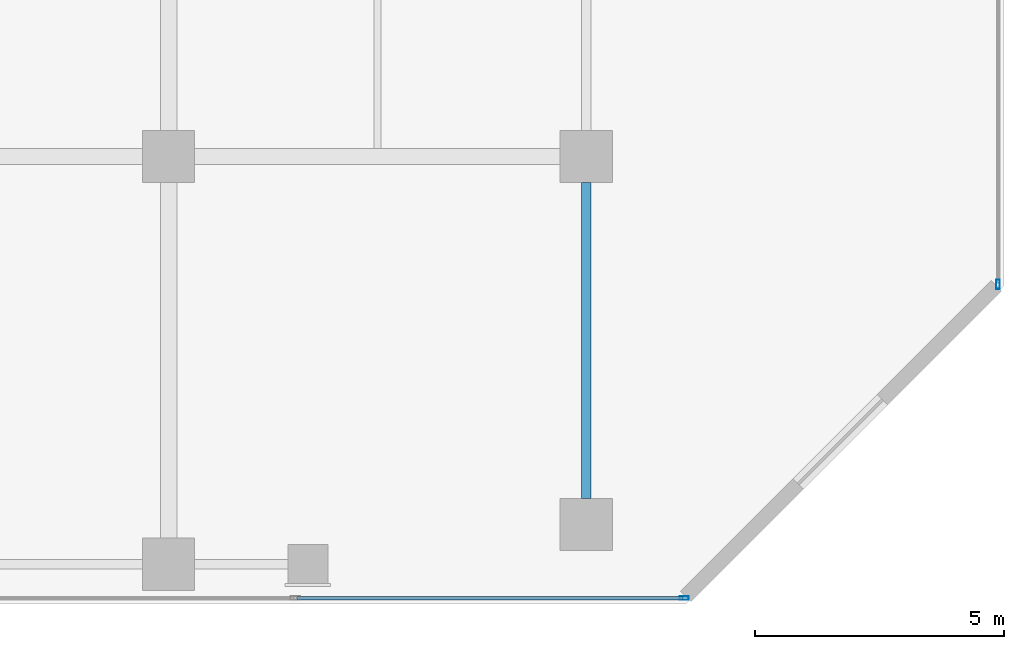
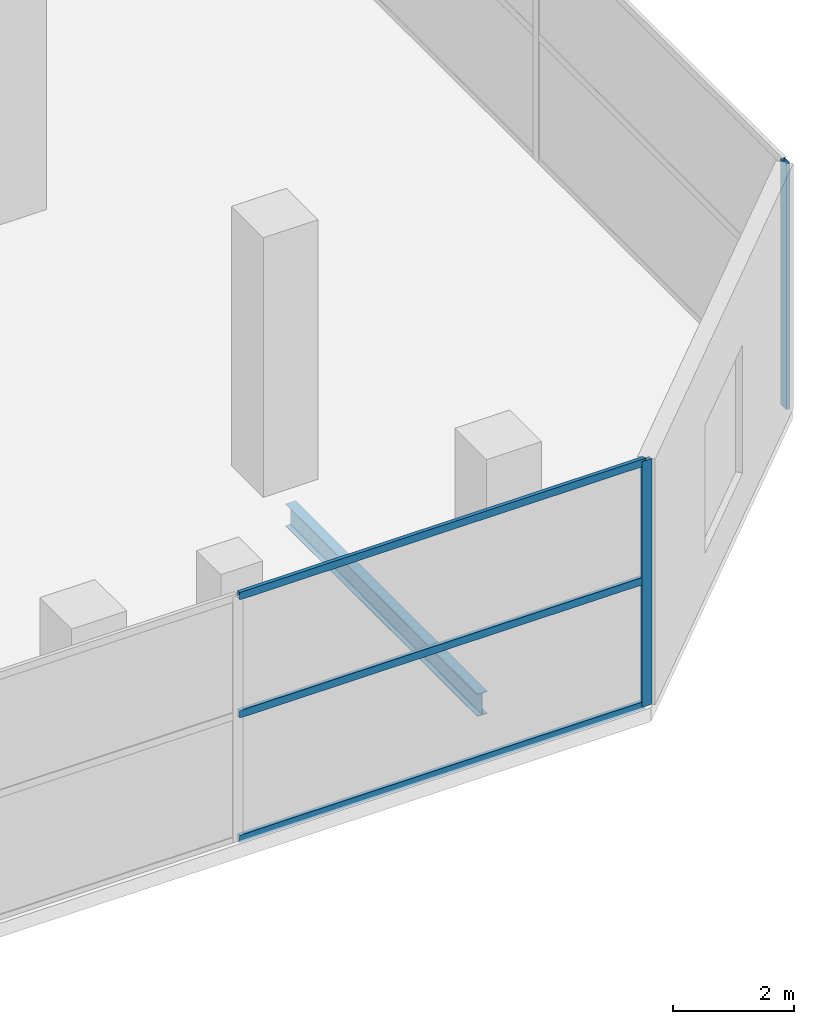
# One storey, part 24 of 40: 5 members, 1 beam, 2 elements without a shape of their own.
"""IFC4 building model written with IfcOpenShell, lengths in metres."""

from ifc_helpers import new_model, si_unit, direction, frame, origin, origin_2d, place, context, subcontext, project, spatial, hollow_rectangle, i_section, extrude, material, layer, layer_set, material_profile, profile_set, type_object, element, aggregate, save


model = new_model("IFC4")

# Units and contexts
model_context = context("Model", 3, precision=1e-05, world=origin(), true_north=direction((0.0, 1.0)))
body_context = subcontext(model_context, "Body", "Model", "MODEL_VIEW")
ifc_project = project(units=[si_unit("LENGTHUNIT", "METRE"), si_unit("AREAUNIT", "SQUARE_METRE"), si_unit("VOLUMEUNIT", "CUBIC_METRE"), si_unit("PLANEANGLEUNIT", "RADIAN"), si_unit("MASSUNIT", "GRAM", prefix="KILO")], contexts=[model_context])

# Site, building, storey
site_placement = place(None, origin())
site = spatial("IfcSite", under=ifc_project, at=site_placement, CompositionType="ELEMENT")
building_placement = place(site_placement, origin())
building = spatial("IfcBuilding", under=site, at=building_placement, Name="Maruvema Waterfront Hotel and Observation Tower", CompositionType="ELEMENT")
storey_placement = place(building_placement, frame((0.0, 0.0, 5.60009765625)))
storey = spatial("IfcBuildingStorey", under=building, at=storey_placement, Name="L01", CompositionType="ELEMENT", Elevation=5.60009765625)

# Curtain wall, members
ifc_material_1 = material(Name="Anodised bronze aluminium and solar-control low-E IGU", Category="aluminium")
ifc_layer = layer(ifc_material_1, 0.159912109375, Name="Podium Waterfront Storefront Curtain Wall System CW-01")
ifc_layer_set = layer_set([ifc_layer], Name="Anodised bronze aluminium and solar-control low-E IGU")
curtain_wall_type = type_object("IfcCurtainWallType", Name="Podium Waterfront Storefront Curtain Wall System CW-01", PredefinedType="USERDEFINED", material=ifc_layer_set)
curtain_wall_1_placement = place(storey_placement, origin())
curtain_wall_1 = element("IfcCurtainWall", 1, at=curtain_wall_1_placement, inside=storey, type_object=curtain_wall_type, Name="L01 Curtain Wall CW-L01-S", ObjectType="UNITISED CURTAIN WALL", PredefinedType="USERDEFINED")
ifc_material_2 = material(Name="Anodised architectural bronze aluminium", Category="aluminium")
ifc_material_profile_1 = material_profile(ifc_material_2, hollow_rectangle(XDim=0.070068359375, YDim=0.14990234375, WallThickness=0.00390625, at=origin_2d()), Name="ALU-T70x150")
ifc_profile_set_1 = profile_set([ifc_material_profile_1], Name="Anodised architectural bronze aluminium")
member_type_1 = type_object("IfcMemberType", Name="Curtain Wall Horizontal Transom ALU-T70x150", PredefinedType="USERDEFINED", material=ifc_profile_set_1)
member_1_placement = place(storey_placement, frame((61.3798828125, 0.1201171875, 0.02978515625), z_axis=(1.0, 0.0, 0.0), x_axis=(0.0, 1.0, 0.0)))
member_1 = element("IfcMember", 2, at=member_1_placement, type_object=member_type_1, Name="CW-01 transom 8.1", ObjectType="TRANSOM", PredefinedType="USERDEFINED", context=body_context, shape_type="SweptSolid", body=[
    extrude(hollow_rectangle(XDim=0.070068359375, YDim=0.14990234375, WallThickness=0.00390625, at=origin_2d()), origin(), (0.0, 0.0, 1.0), 7.760009765625),
])
member_2_placement = place(storey_placement, frame((61.3798828125, 0.1201171875, 2.5498046875), z_axis=(1.0, 0.0, 0.0), x_axis=(0.0, 1.0, 0.0)))
member_2 = element("IfcMember", 3, at=member_2_placement, type_object=member_type_1, Name="CW-01 transom 8.2", ObjectType="TRANSOM", PredefinedType="USERDEFINED", context=body_context, shape_type="SweptSolid", body=[
    extrude(hollow_rectangle(XDim=0.070068359375, YDim=0.14990234375, WallThickness=0.00390625, at=origin_2d()), origin(), (0.0, 0.0, 1.0), 7.760009765625),
])
member_3_placement = place(storey_placement, frame((61.3798828125, 0.1201171875, 4.93994140625), z_axis=(1.0, 0.0, 0.0), x_axis=(0.0, 1.0, 0.0)))
member_3 = element("IfcMember", 4, at=member_3_placement, type_object=member_type_1, Name="CW-01 transom 8.3", ObjectType="TRANSOM", PredefinedType="USERDEFINED", context=body_context, shape_type="SweptSolid", body=[
    extrude(hollow_rectangle(XDim=0.070068359375, YDim=0.14990234375, WallThickness=0.00390625, at=origin_2d()), origin(), (0.0, 0.0, 1.0), 7.760009765625),
])

# Beam
ifc_material_3 = material(Name="Steel ASTM A572 Grade 50", Category="steel")
ifc_material_profile_2 = material_profile(ifc_material_3, i_section(OverallWidth=0.18994140625, OverallDepth=0.45703125, WebThickness=0.009033203125, FlangeThickness=0.014404296875, FilletRadius=0.014892578125, at=origin_2d()), Name="W460x74.0")
ifc_profile_set_2 = profile_set([ifc_material_profile_2], Name="Steel ASTM A572 Grade 50")
beam_type = type_object("IfcBeamType", Name="Perimeter Spandrel Beam W460x74.0", PredefinedType="SPANDREL", material=ifc_profile_set_2)
beam_placement = place(storey_placement, frame((67.199951171875, 2.125, -0.508544921875), z_axis=(0.0, 1.0, 0.0), x_axis=(-1.0, 0.0, 0.0)))
element("IfcBeam", 5, at=beam_placement, inside=storey, type_object=beam_type, Name="L01 Floor Girder NS-29", PredefinedType="SPANDREL", context=body_context, shape_type="SweptSolid", body=[
    extrude(i_section(OverallWidth=0.18994140625, OverallDepth=0.45703125, WebThickness=0.009033203125, FlangeThickness=0.014404296875, FilletRadius=0.014892578125, at=origin_2d()), origin(), (0.0, 0.0, 1.0), 6.35009765625),
])

# Member
ifc_material_4 = material(Name="Anodised architectural bronze aluminium", Category="aluminium")
ifc_material_profile_3 = material_profile(ifc_material_4, hollow_rectangle(XDim=0.070068359375, YDim=0.18994140625, WallThickness=0.00390625, at=origin_2d()), Name="ALU-M70x190")
ifc_profile_set_3 = profile_set([ifc_material_profile_3], Name="Anodised architectural bronze aluminium")
member_type_2 = type_object("IfcMemberType", Name="Podium Storefront Heavy Mullion ALU-M70x190", PredefinedType="MULLION", material=ifc_profile_set_3)
member_4_placement = place(storey_placement, frame((69.169921875, 0.1201171875, 0.0), z_axis=(0.0, 0.0, 1.0), x_axis=(0.0, 1.0, 0.0)))
member_4 = element("IfcMember", 6, at=member_4_placement, type_object=member_type_2, Name="CW-01 mullion 9", PredefinedType="MULLION", context=body_context, shape_type="SweptSolid", body=[
    extrude(hollow_rectangle(XDim=0.070068359375, YDim=0.18994140625, WallThickness=0.00390625, at=origin_2d()), origin(), (0.0, 0.0, 1.0), 4.969970703125),
])

aggregate(curtain_wall_1, [member_4, member_1, member_2, member_3])

# Curtain wall, member
curtain_wall_2_placement = place(storey_placement, origin())
curtain_wall_2 = element("IfcCurtainWall", 7, at=curtain_wall_2_placement, inside=storey, type_object=curtain_wall_type, Name="L01 Curtain Wall CW-L01-E", ObjectType="UNITISED CURTAIN WALL", PredefinedType="USERDEFINED")
member_5_placement = place(storey_placement, frame((75.47998046875, 6.429931640625, 0.0), z_axis=(0.0, 0.0, 1.0), x_axis=(-1.0, 0.0, 0.0)))
member_5 = element("IfcMember", 8, at=member_5_placement, type_object=member_type_2, Name="CW-01 mullion 1", PredefinedType="MULLION", context=body_context, shape_type="SweptSolid", body=[
    extrude(hollow_rectangle(XDim=0.070068359375, YDim=0.18994140625, WallThickness=0.00390625, at=origin_2d()), origin(), (0.0, 0.0, 1.0), 4.969970703125),
])
aggregate(curtain_wall_2, [member_5])

save(model, "model.ifc")
